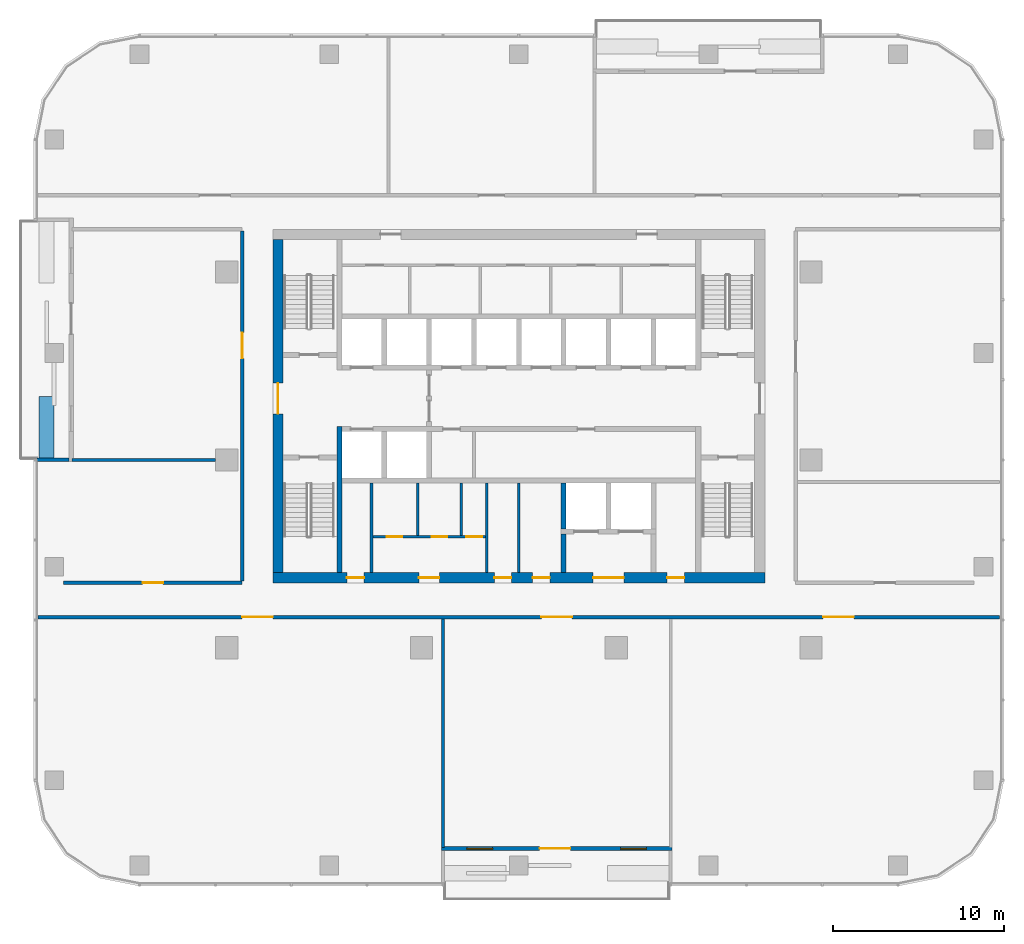
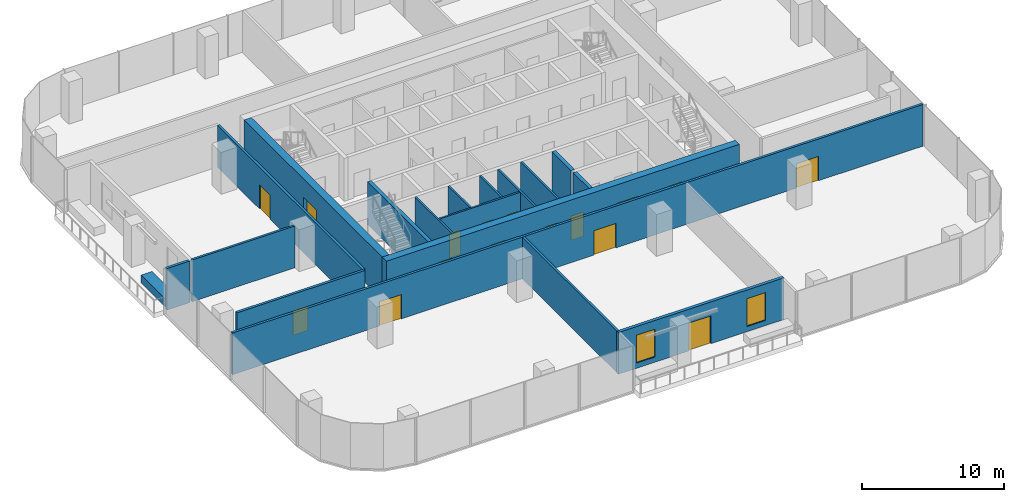
# One storey, part 7 of 14: 19 walls, 16 doors, 2 windows, 18 openings.
"""IFC4 building model written with IfcOpenShell, lengths in metres."""

from ifc_helpers import new_model, si_unit, direction, frame, frame_2d, origin, place, context, subcontext, project, spatial, rectangle, extrude, material, layer, layer_set, type_object, element, fill, save


model = new_model("IFC4")

# Units and contexts
model_context = context("Model", 3, precision=1e-05, world=origin(), true_north=direction((0.0, 1.0)))
body_context = subcontext(model_context, "Body", "Model", "MODEL_VIEW")
ifc_project = project(units=[si_unit("LENGTHUNIT", "METRE"), si_unit("AREAUNIT", "SQUARE_METRE"), si_unit("VOLUMEUNIT", "CUBIC_METRE"), si_unit("PLANEANGLEUNIT", "RADIAN"), si_unit("MASSUNIT", "GRAM", prefix="KILO")], contexts=[model_context])

# Site, building, storey
site_placement = place(None, origin())
site = spatial("IfcSite", under=ifc_project, at=site_placement, CompositionType="ELEMENT")
building_placement = place(site_placement, origin())
building = spatial("IfcBuilding", under=site, at=building_placement, Name="Mopane Tessera Tower", CompositionType="ELEMENT")
storey_placement = place(building_placement, frame((0.0, 0.0, 243.0)))
storey = spatial("IfcBuildingStorey", under=building, at=storey_placement, Name="L52", CompositionType="ELEMENT", Elevation=243.0)

# Wall
ifc_material_1 = material(Name="Fire-rated gypsum board partition")
ifc_layer_1 = layer(ifc_material_1, 0.14990234375)
ifc_layer_set_1 = layer_set([ifc_layer_1], Name="Fire-rated gypsum board partition")
wall_type_1 = type_object("IfcWallType", Name="Core room partition 150 mm", PredefinedType="PARTITIONING", material=ifc_layer_set_1)
wall_1_placement = place(storey_placement, frame((-8.625, -6.60009765625, 0.0), z_axis=(0.0, 0.0, 1.0), x_axis=(0.0, 1.0, 0.0)))
element("IfcWall", 1, at=wall_1_placement, inside=storey, type_object=wall_type_1, Name="L52 Room partition", PredefinedType="PARTITIONING", context=body_context, shape_type="SweptSolid", body=[
    extrude(rectangle(XDim=5.25, YDim=0.14990234375, at=frame_2d((2.625, 0.0))), origin(), (0.0, 0.0, 1.0), 3.699951171875),
])

# Wall, openings, doors
wall_2_placement = place(storey_placement, frame((-8.550048828125, -4.5, 0.0), z_axis=(0.0, 0.0, 1.0), x_axis=(1.0, 0.0, 0.0)))
wall_2 = element("IfcWall", 2, at=wall_2_placement, inside=storey, type_object=wall_type_1, Name="L52 WC partition", PredefinedType="PARTITIONING", context=body_context, shape_type="SweptSolid", body=[
    extrude(rectangle(XDim=6.60009765625, YDim=0.14990234375, at=frame_2d((3.300048828125, 0.0))), origin(), (0.0, 0.0, 1.0), 3.699951171875),
])
opening_1_placement = place(wall_2_placement, frame((0.824951171875, 0.0, 0.0)))
opening_1 = element("IfcOpeningElement", 3, at=opening_1_placement, cuts=wall_2, Name="Opening WD1", PredefinedType="OPENING", context=body_context, shape_type="SweptSolid", body=[
    extrude(rectangle(XDim=0.89990234375, YDim=2.10009765625, at=frame_2d((0.449951171875, 1.050048828125))), frame((0.0, 0.0869140625, 0.0), z_axis=(0.0, -1.0, 0.0), x_axis=(1.0, 0.0, 0.0)), (0.0, 0.0, 1.0), 0.173828125),
])
opening_2_placement = place(wall_2_placement, frame((3.45751953125, 0.0, 0.0)))
opening_2 = element("IfcOpeningElement", 4, at=opening_2_placement, cuts=wall_2, Name="Opening WD1", PredefinedType="OPENING", context=body_context, shape_type="SweptSolid", body=[
    extrude(rectangle(XDim=0.89990234375, YDim=2.10009765625, at=frame_2d((0.449951171875, 1.050048828125))), frame((0.0, 0.0869140625, 0.0), z_axis=(0.0, -1.0, 0.0), x_axis=(1.0, 0.0, 0.0)), (0.0, 0.0, 1.0), 0.173828125),
])
opening_3_placement = place(wall_2_placement, frame((5.45751953125, 0.0, 0.0)))
opening_3 = element("IfcOpeningElement", 5, at=opening_3_placement, cuts=wall_2, Name="Opening WD2", PredefinedType="OPENING", context=body_context, shape_type="SweptSolid", body=[
    extrude(rectangle(XDim=0.949951171875, YDim=2.10009765625, at=frame_2d((0.47509765625, 1.050048828125))), frame((0.0, 0.0869140625, 0.0), z_axis=(0.0, -1.0, 0.0), x_axis=(1.0, 0.0, 0.0)), (0.0, 0.0, 1.0), 0.173828125),
])
ifc_material_2 = material(Name="Timber door", Category="wood")
door_type_1 = type_object("IfcDoorType", Name="Accessible WC door 950 x 2100", OperationType="SINGLE_SWING_LEFT", PredefinedType="DOOR", material=ifc_material_2)
door_1_placement = place(opening_3_placement, origin())
door_1 = element("IfcDoor", 6, at=door_1_placement, inside=storey, type_object=door_type_1, Name="L52 Accessible WC door", OperationType="SINGLE_SWING_LEFT", OverallHeight=2.10009765625, OverallWidth=0.949951171875, PredefinedType="DOOR", context=body_context, shape_type="SweptSolid", body=[
    extrude(rectangle(XDim=0.949951171875, YDim=2.10009765625, at=frame_2d((0.47509765625, 1.050048828125))), frame((0.0, 0.02490234375, 0.0), z_axis=(0.0, -1.0, 0.0), x_axis=(1.0, 0.0, 0.0)), (0.0, 0.0, 1.0), 0.050048828125),
])
fill(opening_3, door_1)
ifc_material_3 = material(Name="Timber door", Category="wood")
door_type_2 = type_object("IfcDoorType", Name="WC cubicle door 900 x 2100", OperationType="SINGLE_SWING_LEFT", PredefinedType="DOOR", material=ifc_material_3)
door_2_placement = place(opening_1_placement, origin())
door_2 = element("IfcDoor", 7, at=door_2_placement, inside=storey, type_object=door_type_2, Name="L52 Men's WC door", OperationType="SINGLE_SWING_LEFT", OverallHeight=2.10009765625, OverallWidth=0.89990234375, PredefinedType="DOOR", context=body_context, shape_type="SweptSolid", body=[
    extrude(rectangle(XDim=0.89990234375, YDim=2.10009765625, at=frame_2d((0.449951171875, 1.050048828125))), frame((0.0, 0.02490234375, 0.0), z_axis=(0.0, -1.0, 0.0), x_axis=(1.0, 0.0, 0.0)), (0.0, 0.0, 1.0), 0.050048828125),
])
fill(opening_1, door_2)
door_3_placement = place(opening_2_placement, origin())
door_3 = element("IfcDoor", 8, at=door_3_placement, inside=storey, type_object=door_type_2, Name="L52 Women's WC door", OperationType="SINGLE_SWING_LEFT", OverallHeight=2.10009765625, OverallWidth=0.89990234375, PredefinedType="DOOR", context=body_context, shape_type="SweptSolid", body=[
    extrude(rectangle(XDim=0.89990234375, YDim=2.10009765625, at=frame_2d((0.449951171875, 1.050048828125))), frame((0.0, 0.02490234375, 0.0), z_axis=(0.0, -1.0, 0.0), x_axis=(1.0, 0.0, 0.0)), (0.0, 0.0, 1.0), 0.050048828125),
])
fill(opening_2, door_3)

# Walls
for number, where, z_axis, x_axis, name in (
    (9, (-5.925048828125, -4.425048828125, 0.0), (0.0, 0.0, 1.0), (0.0, 1.0, 0.0), "L52 WC partition"),
    (10, (-3.360107421875, -4.425048828125, 0.0), (0.0, 0.0, 1.0), (0.0, 1.0, 0.0), "L52 WC partition"),
):
    element("IfcWall", number, at=place(storey_placement, frame(where, z_axis=z_axis, x_axis=x_axis)), inside=storey, type_object=wall_type_1, Name=name, PredefinedType="PARTITIONING", context=body_context, shape_type="SweptSolid", body=[
        extrude(rectangle(XDim=3.074951171875, YDim=0.14990234375, at=frame_2d((1.53759765625, 0.0))), origin(), (0.0, 0.0, 1.0), 3.699951171875),
    ])
for number, where, z_axis, x_axis, name in (
    (11, (-1.875, -6.60009765625, 0.0), (0.0, 0.0, 1.0), (0.0, 1.0, 0.0), "L52 Room partition"),
    (12, (0.0, -6.60009765625, 0.0), (0.0, 0.0, 1.0), (0.0, 1.0, 0.0), "L52 Room partition"),
):
    element("IfcWall", number, at=place(storey_placement, frame(where, z_axis=z_axis, x_axis=x_axis)), inside=storey, type_object=wall_type_1, Name=name, PredefinedType="PARTITIONING", context=body_context, shape_type="SweptSolid", body=[
        extrude(rectangle(XDim=5.25, YDim=0.14990234375, at=frame_2d((2.625, 0.0))), origin(), (0.0, 0.0, 1.0), 3.699951171875),
    ])

# Wall, openings, doors
ifc_material_4 = material(Name="Concrete C70/85", Category="concrete")
ifc_layer_2 = layer(ifc_material_4, 0.60009765625)
ifc_layer_set_2 = layer_set([ifc_layer_2], Name="Concrete C70/85")
wall_type_2 = type_object("IfcWallType", Name="Core shear wall 600 mm", PredefinedType="SHEAR", material=ifc_layer_set_2)
wall_3_placement = place(storey_placement, frame((-14.39990234375, -6.89990234375, 0.0), z_axis=(0.0, 0.0, 1.0), x_axis=(1.0, 0.0, 0.0)))
wall_3 = element("IfcWall", 13, at=wall_3_placement, inside=storey, type_object=wall_type_2, Name="L52 Core wall south", PredefinedType="SHEAR", context=body_context, shape_type="SweptSolid", body=[
    extrude(rectangle(XDim=28.7998046875, YDim=0.60009765625, at=frame_2d((14.39990234375, 0.0))), origin(), (0.0, 0.0, 1.0), 3.699951171875),
])
opening_4_placement = place(wall_3_placement, frame((4.33740234375, 0.0, 0.0)))
opening_4 = element("IfcOpeningElement", 14, at=opening_4_placement, cuts=wall_3, Name="Opening RD1", PredefinedType="OPENING", context=body_context, shape_type="SweptSolid", body=[
    extrude(rectangle(XDim=1.0, YDim=2.10009765625, at=frame_2d((0.5, 1.050048828125))), frame((0.0, 0.31201171875, 0.0), z_axis=(0.0, -1.0, 0.0), x_axis=(1.0, 0.0, 0.0)), (0.0, 0.0, 1.0), 0.6240234375),
])
opening_5_placement = place(wall_3_placement, frame((8.550048828125, 0.0, 0.0)))
opening_5 = element("IfcOpeningElement", 15, at=opening_5_placement, cuts=wall_3, Name="Opening WD3", PredefinedType="OPENING", context=body_context, shape_type="SweptSolid", body=[
    extrude(rectangle(XDim=1.199951171875, YDim=2.10009765625, at=frame_2d((0.60009765625, 1.050048828125))), frame((0.0, 0.31201171875, 0.0), z_axis=(0.0, -1.0, 0.0), x_axis=(1.0, 0.0, 0.0)), (0.0, 0.0, 1.0), 0.6240234375),
])
opening_6_placement = place(wall_3_placement, frame((12.96240234375, 0.0, 0.0)))
opening_6 = element("IfcOpeningElement", 16, at=opening_6_placement, cuts=wall_3, Name="Opening RD1", PredefinedType="OPENING", context=body_context, shape_type="SweptSolid", body=[
    extrude(rectangle(XDim=1.0, YDim=2.10009765625, at=frame_2d((0.5, 1.050048828125))), frame((0.0, 0.31201171875, 0.0), z_axis=(0.0, -1.0, 0.0), x_axis=(1.0, 0.0, 0.0)), (0.0, 0.0, 1.0), 0.6240234375),
])
opening_7_placement = place(wall_3_placement, frame((15.21240234375, 0.0, 0.0)))
opening_7 = element("IfcOpeningElement", 17, at=opening_7_placement, cuts=wall_3, Name="Opening RD1", PredefinedType="OPENING", context=body_context, shape_type="SweptSolid", body=[
    extrude(rectangle(XDim=1.0, YDim=2.10009765625, at=frame_2d((0.5, 1.050048828125))), frame((0.0, 0.31201171875, 0.0), z_axis=(0.0, -1.0, 0.0), x_axis=(1.0, 0.0, 0.0)), (0.0, 0.0, 1.0), 0.6240234375),
])
opening_8_placement = place(wall_3_placement, frame((18.75, 0.0, 0.0)))
opening_8 = element("IfcOpeningElement", 18, at=opening_8_placement, cuts=wall_3, Name="Opening SD2", PredefinedType="OPENING", context=body_context, shape_type="SweptSolid", body=[
    extrude(rectangle(XDim=1.800048828125, YDim=2.10009765625, at=frame_2d((0.89990234375, 1.050048828125))), frame((0.0, 0.31201171875, 0.0), z_axis=(0.0, -1.0, 0.0), x_axis=(1.0, 0.0, 0.0)), (0.0, 0.0, 1.0), 0.6240234375),
])
opening_9_placement = place(wall_3_placement, frame((23.08740234375, 0.0, 0.0)))
opening_9 = element("IfcOpeningElement", 19, at=opening_9_placement, cuts=wall_3, Name="Opening RD1", PredefinedType="OPENING", context=body_context, shape_type="SweptSolid", body=[
    extrude(rectangle(XDim=1.0, YDim=2.10009765625, at=frame_2d((0.5, 1.050048828125))), frame((0.0, 0.31201171875, 0.0), z_axis=(0.0, -1.0, 0.0), x_axis=(1.0, 0.0, 0.0)), (0.0, 0.0, 1.0), 0.6240234375),
])
ifc_material_5 = material(Name="Steel fire door", Category="steel")
door_type_3 = type_object("IfcDoorType", Name="Core entrance double door 1800 x 2100", OperationType="DOUBLE_DOOR_SINGLE_SWING", PredefinedType="DOOR", material=ifc_material_5)
door_4_placement = place(opening_8_placement, origin())
door_4 = element("IfcDoor", 20, at=door_4_placement, inside=storey, type_object=door_type_3, Name="L52 Service lobby door", OperationType="DOUBLE_DOOR_SINGLE_SWING", OverallHeight=2.10009765625, OverallWidth=1.800048828125, PredefinedType="DOOR", context=body_context, shape_type="SweptSolid", body=[
    extrude(rectangle(XDim=1.800048828125, YDim=2.10009765625, at=frame_2d((0.89990234375, 1.050048828125))), frame((0.0, 0.02490234375, 0.0), z_axis=(0.0, -1.0, 0.0), x_axis=(1.0, 0.0, 0.0)), (0.0, 0.0, 1.0), 0.050048828125),
])
fill(opening_8, door_4)
ifc_material_6 = material(Name="Timber door", Category="wood")
door_type_4 = type_object("IfcDoorType", Name="Core room door 1000 x 2100", OperationType="SINGLE_SWING_LEFT", PredefinedType="DOOR", material=ifc_material_6)
door_5_placement = place(opening_4_placement, origin())
door_5 = element("IfcDoor", 21, at=door_5_placement, inside=storey, type_object=door_type_4, Name="L52 Room door", OperationType="SINGLE_SWING_LEFT", OverallHeight=2.10009765625, OverallWidth=1.0, PredefinedType="DOOR", context=body_context, shape_type="SweptSolid", body=[
    extrude(rectangle(XDim=1.0, YDim=2.10009765625, at=frame_2d((0.5, 1.050048828125))), frame((0.0, 0.02490234375, 0.0), z_axis=(0.0, -1.0, 0.0), x_axis=(1.0, 0.0, 0.0)), (0.0, 0.0, 1.0), 0.050048828125),
])
fill(opening_4, door_5)
door_6_placement = place(opening_6_placement, origin())
door_6 = element("IfcDoor", 22, at=door_6_placement, inside=storey, type_object=door_type_4, Name="L52 Room door", OperationType="SINGLE_SWING_LEFT", OverallHeight=2.10009765625, OverallWidth=1.0, PredefinedType="DOOR", context=body_context, shape_type="SweptSolid", body=[
    extrude(rectangle(XDim=1.0, YDim=2.10009765625, at=frame_2d((0.5, 1.050048828125))), frame((0.0, 0.02490234375, 0.0), z_axis=(0.0, -1.0, 0.0), x_axis=(1.0, 0.0, 0.0)), (0.0, 0.0, 1.0), 0.050048828125),
])
fill(opening_6, door_6)
door_7_placement = place(opening_7_placement, origin())
door_7 = element("IfcDoor", 23, at=door_7_placement, inside=storey, type_object=door_type_4, Name="L52 Room door", OperationType="SINGLE_SWING_LEFT", OverallHeight=2.10009765625, OverallWidth=1.0, PredefinedType="DOOR", context=body_context, shape_type="SweptSolid", body=[
    extrude(rectangle(XDim=1.0, YDim=2.10009765625, at=frame_2d((0.5, 1.050048828125))), frame((0.0, 0.02490234375, 0.0), z_axis=(0.0, -1.0, 0.0), x_axis=(1.0, 0.0, 0.0)), (0.0, 0.0, 1.0), 0.050048828125),
])
fill(opening_7, door_7)
door_8_placement = place(opening_9_placement, origin())
door_8 = element("IfcDoor", 24, at=door_8_placement, inside=storey, type_object=door_type_4, Name="L52 Room door", OperationType="SINGLE_SWING_LEFT", OverallHeight=2.10009765625, OverallWidth=1.0, PredefinedType="DOOR", context=body_context, shape_type="SweptSolid", body=[
    extrude(rectangle(XDim=1.0, YDim=2.10009765625, at=frame_2d((0.5, 1.050048828125))), frame((0.0, 0.02490234375, 0.0), z_axis=(0.0, -1.0, 0.0), x_axis=(1.0, 0.0, 0.0)), (0.0, 0.0, 1.0), 0.050048828125),
])
fill(opening_9, door_8)
ifc_material_7 = material(Name="Timber door", Category="wood")
door_type_5 = type_object("IfcDoorType", Name="WC lobby door 1200 x 2100", OperationType="SINGLE_SWING_LEFT", PredefinedType="DOOR", material=ifc_material_7)
door_9_placement = place(opening_5_placement, origin())
door_9 = element("IfcDoor", 25, at=door_9_placement, inside=storey, type_object=door_type_5, Name="L52 WC lobby door", OperationType="SINGLE_SWING_LEFT", OverallHeight=2.10009765625, OverallWidth=1.199951171875, PredefinedType="DOOR", context=body_context, shape_type="SweptSolid", body=[
    extrude(rectangle(XDim=1.199951171875, YDim=2.10009765625, at=frame_2d((0.60009765625, 1.050048828125))), frame((0.0, 0.02490234375, 0.0), z_axis=(0.0, -1.0, 0.0), x_axis=(1.0, 0.0, 0.0)), (0.0, 0.0, 1.0), 0.050048828125),
])
fill(opening_5, door_9)

# Wall, opening, door
wall_4_placement = place(storey_placement, frame((-14.10009765625, -6.60009765625, 0.0), z_axis=(0.0, 0.0, 1.0), x_axis=(0.0, 1.0, 0.0)))
wall_4 = element("IfcWall", 26, at=wall_4_placement, inside=storey, type_object=wall_type_2, Name="L52 Core wall west", PredefinedType="SHEAR", context=body_context, shape_type="SweptSolid", body=[
    extrude(rectangle(XDim=19.5, YDim=0.60009765625, at=frame_2d((9.75, 0.0))), origin(), (0.0, 0.0, 1.0), 3.699951171875),
])
opening_10_placement = place(wall_4_placement, frame((9.300048828125, 0.0, 0.0)))
opening_10 = element("IfcOpeningElement", 27, at=opening_10_placement, cuts=wall_4, Name="Opening SD2", PredefinedType="OPENING", context=body_context, shape_type="SweptSolid", body=[
    extrude(rectangle(XDim=1.800048828125, YDim=2.10009765625, at=frame_2d((0.89990234375, 1.050048828125))), frame((0.0, 0.31201171875, 0.0), z_axis=(0.0, -1.0, 0.0), x_axis=(1.0, 0.0, 0.0)), (0.0, 0.0, 1.0), 0.6240234375),
])
door_10_placement = place(opening_10_placement, origin())
door_10 = element("IfcDoor", 28, at=door_10_placement, inside=storey, type_object=door_type_3, Name="L52 Core entrance door west", OperationType="DOUBLE_DOOR_SINGLE_SWING", OverallHeight=2.10009765625, OverallWidth=1.800048828125, PredefinedType="DOOR", context=body_context, shape_type="SweptSolid", body=[
    extrude(rectangle(XDim=1.800048828125, YDim=2.10009765625, at=frame_2d((0.89990234375, 1.050048828125))), frame((0.0, 0.02490234375, 0.0), z_axis=(0.0, -1.0, 0.0), x_axis=(1.0, 0.0, 0.0)), (0.0, 0.0, 1.0), 0.050048828125),
])
fill(opening_10, door_10)

# Walls
ifc_material_8 = material(Name="Concrete C60/75", Category="concrete")
ifc_layer_3 = layer(ifc_material_8, 0.300048828125)
ifc_layer_set_3 = layer_set([ifc_layer_3], Name="Concrete C60/75")
wall_type_3 = type_object("IfcWallType", Name="Core spine wall 300 mm", PredefinedType="SHEAR", material=ifc_layer_set_3)
wall_5_placement = place(storey_placement, frame((-10.5, -6.60009765625, 0.0), z_axis=(0.0, 0.0, 1.0), x_axis=(0.0, 1.0, 0.0)))
element("IfcWall", 29, at=wall_5_placement, inside=storey, type_object=wall_type_3, Name="L52 Core spine wall", PredefinedType="SHEAR", context=body_context, shape_type="SweptSolid", body=[
    extrude(rectangle(XDim=8.550048828125, YDim=0.300048828125, at=frame_2d((4.27490234375, 0.0))), origin(), (0.0, 0.0, 1.0), 3.699951171875),
])
ifc_material_9 = material(Name="Gypsum board on staggered steel studs, double layer each face, acoustic mineral wool infill", Category="steel")
ifc_layer_4 = layer(ifc_material_9, 0.175048828125)
ifc_layer_set_4 = layer_set([ifc_layer_4], Name="Gypsum board on staggered steel studs, double layer each face, acoustic mineral wool infill")
wall_type_4 = type_object("IfcWallType", Name="Gypsum board acoustic partition 175, rated EI 60", PredefinedType="PARTITIONING", material=ifc_layer_set_4)
wall_6_placement = place(storey_placement, frame((-26.14990234375, 0.0, 0.0), z_axis=(0.0, 0.0, 1.0), x_axis=(1.0, 0.0, 0.0)))
element("IfcWall", 30, at=wall_6_placement, inside=storey, type_object=wall_type_4, Name="Partition L52:004", PredefinedType="PARTITIONING", context=body_context, shape_type="SweptSolid", body=[
    extrude(rectangle(XDim=8.39990234375, YDim=0.175048828125, at=frame_2d((4.199951171875, 0.0))), origin(), (0.0, 0.0, 1.0), 3.60009765625),
])
wall_7_placement = place(storey_placement, frame((-4.43994140625, -22.699951171875, 0.0), z_axis=(0.0, 0.0, 1.0), x_axis=(0.0, 1.0, 0.0)))
element("IfcWall", 31, at=wall_7_placement, inside=storey, type_object=wall_type_4, Name="Partition L52:011", PredefinedType="PARTITIONING", context=body_context, shape_type="SweptSolid", body=[
    extrude(rectangle(XDim=13.39990234375, YDim=0.175048828125, at=frame_2d((6.699951171875, 0.0))), origin(), (0.0, 0.0, 1.0), 3.60009765625),
])

# Wall, openings, doors
ifc_material_10 = material(Name="Gypsum board on steel studs, two layers each face, mineral wool infill", Category="steel")
ifc_layer_5 = layer(ifc_material_10, 0.199951171875)
ifc_layer_set_5 = layer_set([ifc_layer_5], Name="Gypsum board on steel studs, two layers each face, mineral wool infill")
wall_type_5 = type_object("IfcWallType", Name="Gypsum board corridor wall 200, rated EI 60", PredefinedType="PARTITIONING", material=ifc_layer_set_5)
wall_8_placement = place(storey_placement, frame((-28.14990234375, -9.199951171875, 0.0), z_axis=(0.0, 0.0, 1.0), x_axis=(1.0, 0.0, 0.0)))
wall_8 = element("IfcWall", 32, at=wall_8_placement, inside=storey, type_object=wall_type_5, Name="Partition L52:000", PredefinedType="PARTITIONING", context=body_context, shape_type="SweptSolid", body=[
    extrude(rectangle(XDim=56.2998046875, YDim=0.199951171875, at=frame_2d((28.14990234375, 0.0))), origin(), (0.0, 0.0, 1.0), 3.60009765625),
])
opening_11_placement = place(wall_8_placement, frame((29.469970703125, 0.0, 0.0)))
opening_11 = element("IfcOpeningElement", 33, at=opening_11_placement, cuts=wall_8, Name="Opening L52-02", PredefinedType="OPENING", context=body_context, shape_type="SweptSolid", body=[
    extrude(rectangle(XDim=1.800048828125, YDim=2.10009765625, at=frame_2d((0.89990234375, 1.050048828125))), frame((0.0, 0.112060546875, 0.0), z_axis=(0.0, -1.0, 0.0), x_axis=(1.0, 0.0, 0.0)), (0.0, 0.0, 1.0), 0.223876953125),
])
opening_12_placement = place(wall_8_placement, frame((45.965087890625, 0.0, 0.0)))
opening_12 = element("IfcOpeningElement", 34, at=opening_12_placement, cuts=wall_8, Name="Opening L52-06", PredefinedType="OPENING", context=body_context, shape_type="SweptSolid", body=[
    extrude(rectangle(XDim=1.800048828125, YDim=2.10009765625, at=frame_2d((0.89990234375, 1.050048828125))), frame((0.0, 0.112060546875, 0.0), z_axis=(0.0, -1.0, 0.0), x_axis=(1.0, 0.0, 0.0)), (0.0, 0.0, 1.0), 0.223876953125),
])
opening_13_placement = place(wall_8_placement, frame((11.955078125, 0.0, 0.0)))
opening_13 = element("IfcOpeningElement", 35, at=opening_13_placement, cuts=wall_8, Name="Opening L52-09", PredefinedType="OPENING", context=body_context, shape_type="SweptSolid", body=[
    extrude(rectangle(XDim=1.800048828125, YDim=2.10009765625, at=frame_2d((0.89990234375, 1.050048828125))), frame((0.0, 0.112060546875, 0.0), z_axis=(0.0, -1.0, 0.0), x_axis=(1.0, 0.0, 0.0)), (0.0, 0.0, 1.0), 0.223876953125),
])
ifc_material_11 = material(Name="Timber veneered steel-framed fire door", Category="steel")
door_type_6 = type_object("IfcDoorType", Name="Fire door pair FD60 1800 x 2100", OperationType="DOUBLE_DOOR_SINGLE_SWING", PredefinedType="DOOR", material=ifc_material_11)
door_11_placement = place(opening_11_placement, origin())
door_11 = element("IfcDoor", 36, at=door_11_placement, inside=storey, type_object=door_type_6, Name="Door L52-02", ObjectType="D20A", OperationType="DOUBLE_DOOR_SINGLE_SWING", OverallHeight=2.10009765625, OverallWidth=1.800048828125, PredefinedType="DOOR", context=body_context, shape_type="SweptSolid", body=[
    extrude(rectangle(XDim=1.800048828125, YDim=2.10009765625, at=frame_2d((0.89990234375, 1.050048828125))), frame((0.0, 0.02490234375, 0.0), z_axis=(0.0, -1.0, 0.0), x_axis=(1.0, 0.0, 0.0)), (0.0, 0.0, 1.0), 0.050048828125),
])
fill(opening_11, door_11)
door_12_placement = place(opening_12_placement, origin())
door_12 = element("IfcDoor", 37, at=door_12_placement, inside=storey, type_object=door_type_6, Name="Door L52-06", ObjectType="D20A", OperationType="DOUBLE_DOOR_SINGLE_SWING", OverallHeight=2.10009765625, OverallWidth=1.800048828125, PredefinedType="DOOR", context=body_context, shape_type="SweptSolid", body=[
    extrude(rectangle(XDim=1.800048828125, YDim=2.10009765625, at=frame_2d((0.89990234375, 1.050048828125))), frame((0.0, 0.02490234375, 0.0), z_axis=(0.0, -1.0, 0.0), x_axis=(1.0, 0.0, 0.0)), (0.0, 0.0, 1.0), 0.050048828125),
])
fill(opening_12, door_12)
door_13_placement = place(opening_13_placement, origin())
door_13 = element("IfcDoor", 38, at=door_13_placement, inside=storey, type_object=door_type_6, Name="Door L52-09", ObjectType="D20A", OperationType="DOUBLE_DOOR_SINGLE_SWING", OverallHeight=2.10009765625, OverallWidth=1.800048828125, PredefinedType="DOOR", context=body_context, shape_type="SweptSolid", body=[
    extrude(rectangle(XDim=1.800048828125, YDim=2.10009765625, at=frame_2d((0.89990234375, 1.050048828125))), frame((0.0, 0.02490234375, 0.0), z_axis=(0.0, -1.0, 0.0), x_axis=(1.0, 0.0, 0.0)), (0.0, 0.0, 1.0), 0.050048828125),
])
fill(opening_13, door_13)

# Wall, opening, door
wall_9_placement = place(storey_placement, frame((-26.64990234375, -7.199951171875, 0.0), z_axis=(0.0, 0.0, 1.0), x_axis=(1.0, 0.0, 0.0)))
wall_9 = element("IfcWall", 39, at=wall_9_placement, inside=storey, type_object=wall_type_5, Name="Partition L52:001", PredefinedType="PARTITIONING", context=body_context, shape_type="SweptSolid", body=[
    extrude(rectangle(XDim=10.449951171875, YDim=0.199951171875, at=frame_2d((5.22509765625, 0.0))), origin(), (0.0, 0.0, 1.0), 3.60009765625),
])
opening_14_placement = place(wall_9_placement, frame((4.625, 0.0, 0.0)))
opening_14 = element("IfcOpeningElement", 40, at=opening_14_placement, cuts=wall_9, Name="Opening L52-08", PredefinedType="OPENING", context=body_context, shape_type="SweptSolid", body=[
    extrude(rectangle(XDim=1.199951171875, YDim=2.10009765625, at=frame_2d((0.60009765625, 1.050048828125))), frame((0.0, 0.112060546875, 0.0), z_axis=(0.0, -1.0, 0.0), x_axis=(1.0, 0.0, 0.0)), (0.0, 0.0, 1.0), 0.223876953125),
])
ifc_material_12 = material(Name="Timber veneered steel-framed fire door", Category="steel")
door_type_7 = type_object("IfcDoorType", Name="Fire door FD60 1200 x 2100", OperationType="SINGLE_SWING_LEFT", PredefinedType="DOOR", material=ifc_material_12)
door_14_placement = place(opening_14_placement, origin())
door_14 = element("IfcDoor", 41, at=door_14_placement, inside=storey, type_object=door_type_7, Name="Door L52-08", ObjectType="D15A", OperationType="SINGLE_SWING_LEFT", OverallHeight=2.10009765625, OverallWidth=1.199951171875, PredefinedType="DOOR", context=body_context, shape_type="SweptSolid", body=[
    extrude(rectangle(XDim=1.199951171875, YDim=2.10009765625, at=frame_2d((0.60009765625, 1.050048828125))), frame((0.0, 0.02490234375, 0.0), z_axis=(0.0, -1.0, 0.0), x_axis=(1.0, 0.0, 0.0)), (0.0, 0.0, 1.0), 0.050048828125),
])
fill(opening_14, door_14)

wall_10_placement = place(storey_placement, frame((-16.199951171875, -7.10009765625, 0.0), z_axis=(0.0, 0.0, 1.0), x_axis=(0.0, 1.0, 0.0)))
wall_10 = element("IfcWall", 42, at=wall_10_placement, inside=storey, type_object=wall_type_5, Name="Partition L52:009", PredefinedType="PARTITIONING", context=body_context, shape_type="SweptSolid", body=[
    extrude(rectangle(XDim=20.5, YDim=0.199951171875, at=frame_2d((10.25, 0.0))), origin(), (0.0, 0.0, 1.0), 3.60009765625),
])
opening_15_placement = place(wall_10_placement, frame((13.050048828125, 0.0, 0.0)))
opening_15 = element("IfcOpeningElement", 43, at=opening_15_placement, cuts=wall_10, Name="Opening L52-01", PredefinedType="OPENING", context=body_context, shape_type="SweptSolid", body=[
    extrude(rectangle(XDim=1.5, YDim=2.10009765625, at=frame_2d((0.75, 1.050048828125))), frame((0.0, 0.112060546875, 0.0), z_axis=(0.0, -1.0, 0.0), x_axis=(1.0, 0.0, 0.0)), (0.0, 0.0, 1.0), 0.223876953125),
])
ifc_material_13 = material(Name="Timber veneered steel-framed fire door", Category="steel")
door_type_8 = type_object("IfcDoorType", Name="Fire door pair FD60 1500 x 2100", OperationType="DOUBLE_DOOR_SINGLE_SWING", PredefinedType="DOOR", material=ifc_material_13)
door_15_placement = place(opening_15_placement, origin())
door_15 = element("IfcDoor", 44, at=door_15_placement, inside=storey, type_object=door_type_8, Name="Door L52-01", ObjectType="D17A", OperationType="DOUBLE_DOOR_SINGLE_SWING", OverallHeight=2.10009765625, OverallWidth=1.5, PredefinedType="DOOR", context=body_context, shape_type="SweptSolid", body=[
    extrude(rectangle(XDim=1.5, YDim=2.10009765625, at=frame_2d((0.75, 1.050048828125))), frame((0.0, 0.02490234375, 0.0), z_axis=(0.0, -1.0, 0.0), x_axis=(1.0, 0.0, 0.0)), (0.0, 0.0, 1.0), 0.050048828125),
])
fill(opening_15, door_15)

# Walls
ifc_material_14 = material(Name="Concrete C50/60", Category="concrete")
ifc_layer_6 = layer(ifc_material_14, 0.300048828125)
ifc_layer_set_6 = layer_set([ifc_layer_6], Name="Concrete C50/60")
wall_type_6 = type_object("IfcWallType", Name="Lift and stair shaft wall 300 mm", PredefinedType="SOLIDWALL", material=ifc_layer_set_6)
wall_11_placement = place(storey_placement, frame((2.625, -4.050048828125, 0.0), z_axis=(0.0, 0.0, 1.0), x_axis=(0.0, 1.0, 0.0)))
element("IfcWall", 45, at=wall_11_placement, inside=storey, type_object=wall_type_6, Name="L52 Lift shaft wall", PredefinedType="SOLIDWALL", context=body_context, shape_type="SweptSolid", body=[
    extrude(rectangle(XDim=2.699951171875, YDim=0.300048828125, at=frame_2d((1.35009765625, 0.0))), origin(), (0.0, 0.0, 1.0), 3.699951171875),
])
ifc_material_15 = material(Name="Concrete C50/60", Category="concrete")
ifc_layer_7 = layer(ifc_material_15, 0.300048828125)
ifc_layer_set_7 = layer_set([ifc_layer_7], Name="Concrete C50/60")
wall_type_7 = type_object("IfcWallType", Name="Lobby and refuge room wall 300 mm", PredefinedType="SOLIDWALL", material=ifc_layer_set_7)
wall_12_placement = place(storey_placement, frame((2.625, -6.60009765625, 0.0), z_axis=(0.0, 0.0, 1.0), x_axis=(0.0, 1.0, 0.0)))
element("IfcWall", 46, at=wall_12_placement, inside=storey, type_object=wall_type_7, Name="L52 Service lobby wall", PredefinedType="SOLIDWALL", context=body_context, shape_type="SweptSolid", body=[
    extrude(rectangle(XDim=2.25, YDim=0.300048828125, at=frame_2d((1.125, 0.0))), origin(), (0.0, 0.0, 1.0), 3.699951171875),
])
ifc_material_16 = material(Name="Reinforced concrete C32/40 with waterproofing", Category="concrete")
ifc_layer_8 = layer(ifc_material_16, 0.89990234375)
ifc_layer_set_8 = layer_set([ifc_layer_8], Name="Reinforced concrete C32/40 with waterproofing")
wall_type_8 = type_object("IfcWallType", Name="Planter trough 3600 x 900", PredefinedType="STANDARD", material=ifc_layer_set_8)
wall_13_placement = place(storey_placement, frame((-27.64990234375, 3.699951171875, 0.0), z_axis=(0.0, 0.0, 1.0), x_axis=(0.0, -1.0, 0.0)))
element("IfcWall", 47, at=wall_13_placement, inside=storey, type_object=wall_type_8, Name="e:nw:L52:N3:pl1", PredefinedType="STANDARD", context=body_context, shape_type="SweptSolid", body=[
    extrude(rectangle(XDim=3.599853515625, YDim=0.89990234375, at=frame_2d((1.7998046875, 0.0))), origin(), (0.0, 0.0, 1.0), 0.699951171875),
])
ifc_material_17 = material(Name="Blockwork with glazed tile facing", Category="masonry")
ifc_layer_9 = layer(ifc_material_17, 0.199951171875)
ifc_layer_set_9 = layer_set([ifc_layer_9], Name="Blockwork with glazed tile facing")
wall_type_9 = type_object("IfcWallType", Name="Terrace cheek wall 200", PredefinedType="STANDARD", material=ifc_layer_set_9)
wall_14_placement = place(storey_placement, frame((-28.199951171875, 0.0, 0.0), z_axis=(0.0, 0.0, 1.0), x_axis=(1.0, 0.0, 0.0)))
element("IfcWall", 48, at=wall_14_placement, inside=storey, type_object=wall_type_9, Name="e:nw:L52:N3:cheekb", PredefinedType="STANDARD", context=body_context, shape_type="SweptSolid", body=[
    extrude(rectangle(XDim=1.875, YDim=0.199951171875, at=frame_2d((0.9375, 0.0))), origin(), (0.0, 0.0, 1.0), 3.60009765625),
])

# Wall, openings, windows, door
ifc_material_18 = material(Name="Blockwork with ochre glazed tile facing", Category="masonry")
ifc_layer_10 = layer(ifc_material_18, 0.25)
ifc_layer_set_10 = layer_set([ifc_layer_10], Name="Blockwork with ochre glazed tile facing")
wall_type_10 = type_object("IfcWallType", Name="Tile-clad external wall 250, ochre", PredefinedType="STANDARD", material=ifc_layer_set_10)
wall_15_placement = place(storey_placement, frame((-4.5400390625, -22.75, 0.0), z_axis=(0.0, 0.0, 1.0), x_axis=(1.0, 0.0, 0.0)))
wall_15 = element("IfcWall", 49, at=wall_15_placement, inside=storey, type_object=wall_type_10, Name="e:nw:L52:N1:back", PredefinedType="STANDARD", context=body_context, shape_type="SweptSolid", body=[
    extrude(rectangle(XDim=13.52001953125, YDim=0.25, at=frame_2d((6.760009765625, 0.0))), origin(), (0.0, 0.0, 1.0), 3.60009765625),
])
opening_16_placement = place(wall_15_placement, frame((1.5, 0.0, 0.449951171875)))
opening_16 = element("IfcOpeningElement", 50, at=opening_16_placement, cuts=wall_15, Name="Opening NW521A", PredefinedType="OPENING", context=body_context, shape_type="SweptSolid", body=[
    extrude(rectangle(XDim=1.5, YDim=2.39990234375, at=frame_2d((0.75, 1.199951171875))), frame((0.0, 0.136962890625, 0.0), z_axis=(0.0, -1.0, 0.0), x_axis=(1.0, 0.0, 0.0)), (0.0, 0.0, 1.0), 0.27392578125),
])
opening_17_placement = place(wall_15_placement, frame((5.75, 0.0, 0.0)))
opening_17 = element("IfcOpeningElement", 51, at=opening_17_placement, cuts=wall_15, Name="Opening ND521", PredefinedType="OPENING", context=body_context, shape_type="SweptSolid", body=[
    extrude(rectangle(XDim=1.800048828125, YDim=2.39990234375, at=frame_2d((0.89990234375, 1.199951171875))), frame((0.0, 0.136962890625, 0.0), z_axis=(0.0, -1.0, 0.0), x_axis=(1.0, 0.0, 0.0)), (0.0, 0.0, 1.0), 0.27392578125),
])
opening_18_placement = place(wall_15_placement, frame((10.5, 0.0, 0.449951171875)))
opening_18 = element("IfcOpeningElement", 52, at=opening_18_placement, cuts=wall_15, Name="Opening NW521B", PredefinedType="OPENING", context=body_context, shape_type="SweptSolid", body=[
    extrude(rectangle(XDim=1.5, YDim=2.39990234375, at=frame_2d((0.75, 1.199951171875))), frame((0.0, 0.136962890625, 0.0), z_axis=(0.0, -1.0, 0.0), x_axis=(1.0, 0.0, 0.0)), (0.0, 0.0, 1.0), 0.27392578125),
])
ifc_material_19 = material(Name="Clear laminated glass", Category="glass")
window_type = type_object("IfcWindowType", Name="Fixed window 1500 x 2400", PartitioningType="SINGLE_PANEL", PredefinedType="WINDOW", material=ifc_material_19)
window_1_placement = place(opening_16_placement, origin())
window_1 = element("IfcWindow", 53, at=window_1_placement, inside=storey, type_object=window_type, Name="e:nw:L52:N1:win0", OverallHeight=2.39990234375, OverallWidth=1.5, PartitioningType="SINGLE_PANEL", PredefinedType="WINDOW", context=body_context, shape_type="SweptSolid", body=[
    extrude(rectangle(XDim=1.5, YDim=2.39990234375, at=frame_2d((0.75, 1.199951171875))), frame((0.0, 0.030029296875, 0.0), z_axis=(0.0, -1.0, 0.0), x_axis=(1.0, 0.0, 0.0)), (0.0, 0.0, 1.0), 0.06005859375),
])
fill(opening_16, window_1)
window_2_placement = place(opening_18_placement, origin())
window_2 = element("IfcWindow", 54, at=window_2_placement, inside=storey, type_object=window_type, Name="e:nw:L52:N1:win2", OverallHeight=2.39990234375, OverallWidth=1.5, PartitioningType="SINGLE_PANEL", PredefinedType="WINDOW", context=body_context, shape_type="SweptSolid", body=[
    extrude(rectangle(XDim=1.5, YDim=2.39990234375, at=frame_2d((0.75, 1.199951171875))), frame((0.0, 0.030029296875, 0.0), z_axis=(0.0, -1.0, 0.0), x_axis=(1.0, 0.0, 0.0)), (0.0, 0.0, 1.0), 0.06005859375),
])
fill(opening_18, window_2)
ifc_material_20 = material(Name="Aluminium and clear glass", Category="aluminium")
door_type_9 = type_object("IfcDoorType", Name="Terrace double door 1800 x 2400", OperationType="DOUBLE_DOOR_SINGLE_SWING", PredefinedType="DOOR", material=ifc_material_20)
door_16_placement = place(opening_17_placement, origin())
door_16 = element("IfcDoor", 55, at=door_16_placement, inside=storey, type_object=door_type_9, Name="e:nw:L52:N1:door", ObjectType="D1", OperationType="DOUBLE_DOOR_SINGLE_SWING", OverallHeight=2.39990234375, OverallWidth=1.800048828125, PredefinedType="DOOR", context=body_context, shape_type="SweptSolid", body=[
    extrude(rectangle(XDim=1.800048828125, YDim=2.39990234375, at=frame_2d((0.89990234375, 1.199951171875))), frame((0.0, 0.02490234375, 0.0), z_axis=(0.0, -1.0, 0.0), x_axis=(1.0, 0.0, 0.0)), (0.0, 0.0, 1.0), 0.050048828125),
])
fill(opening_17, door_16)

save(model, "model.ifc")
